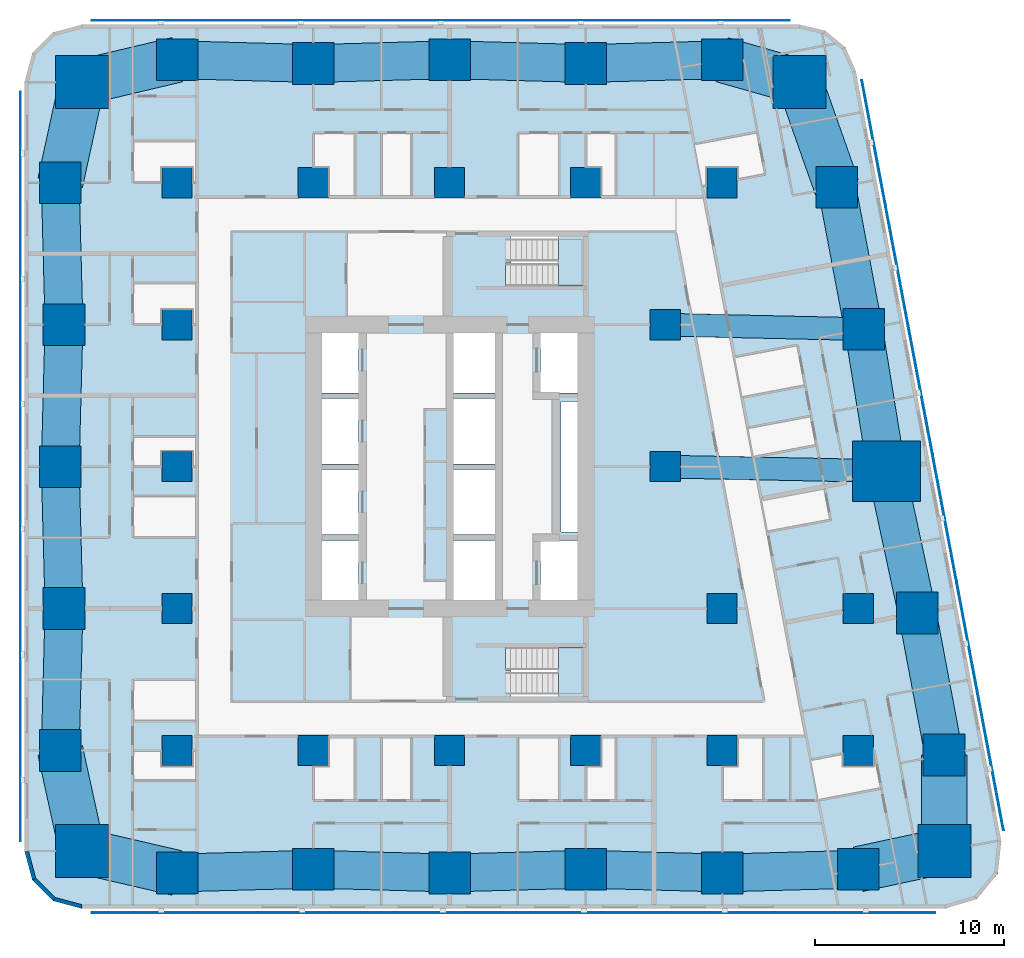
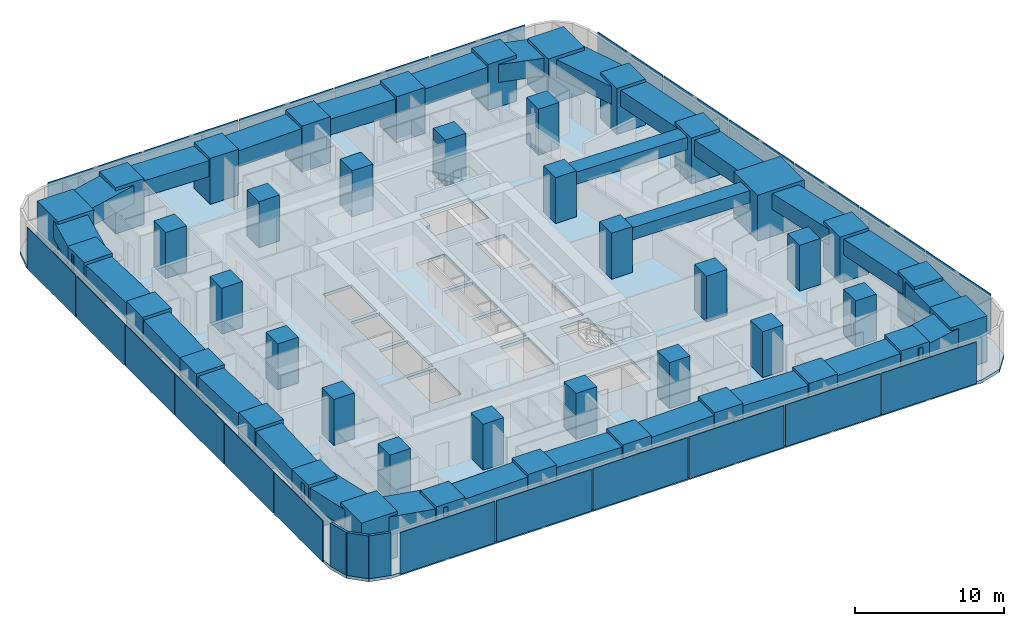
# One storey, part 1 of 15: 43 columns, 27 beams, 23 plates, 3 slabs, 3 walls, 2 elements without a shape of their own.
"""IFC4 building model written with IfcOpenShell, lengths in metres."""

from ifc_helpers import new_model, si_unit, direction, frame, frame_2d, origin, origin_2d, place, context, subcontext, project, spatial, polyline, rectangle, outline, extrude, material, layer, layer_set, material_profile, profile_set, type_object, element, aggregate, save


model = new_model("IFC4")

# Units and contexts
model_context = context("Model", 3, precision=1e-05, world=origin(), true_north=direction((0.0, 1.0)))
body_context = subcontext(model_context, "Body", "Model", "MODEL_VIEW")
ifc_project = project(units=[si_unit("LENGTHUNIT", "METRE"), si_unit("AREAUNIT", "SQUARE_METRE"), si_unit("VOLUMEUNIT", "CUBIC_METRE"), si_unit("PLANEANGLEUNIT", "RADIAN"), si_unit("MASSUNIT", "GRAM", prefix="KILO")], contexts=[model_context])

# Site, building, storey
site_placement = place(None, origin())
site = spatial("IfcSite", under=ifc_project, at=site_placement, CompositionType="ELEMENT")
building_placement = place(site_placement, origin())
building = spatial("IfcBuilding", under=site, at=building_placement, Name="Sheger Commons Tower", CompositionType="ELEMENT")
storey_placement = place(building_placement, frame((0.0, 0.0, 104.14990234375)))
storey = spatial("IfcBuildingStorey", under=building, at=storey_placement, Name="L26", CompositionType="ELEMENT", Elevation=104.14990234375)

# Columns
ifc_material_1 = material(Name="Concrete C50/60", Category="concrete")
ifc_material_profile_1 = material_profile(ifc_material_1, rectangle(XDim=3.60009765625, YDim=3.199951171875, at=origin_2d()), Name="RC 3600x3200")
ifc_profile_set_1 = profile_set([ifc_material_profile_1], Name="Concrete C50/60")
column_type_1 = type_object("IfcColumnType", Name="COLUMN PIER RC 3600x3200", PredefinedType="COLUMN", material=ifc_profile_set_1)
column_placement = place(storey_placement, frame((44.697021484375, 22.262939453125, 0.0), z_axis=(0.0, 0.0, 1.0), x_axis=(1.0, 0.0, 0.0)))
element("IfcColumn", 1, at=column_placement, inside=storey, type_object=column_type_1, Name="Pier 7/D+E/D L26", PredefinedType="COLUMN", context=body_context, shape_type="SweptSolid", body=[
    extrude(rectangle(XDim=3.60009765625, YDim=3.199951171875, at=origin_2d()), origin(), (0.0, 0.0, 1.0), 3.75),
])
ifc_material_2 = material(Name="Concrete C50/60", Category="concrete")
ifc_material_profile_2 = material_profile(ifc_material_2, rectangle(XDim=1.60009765625, YDim=1.60009765625, at=origin_2d()), Name="RC 1600x1600")
ifc_profile_set_2 = profile_set([ifc_material_profile_2], Name="Concrete C50/60")
column_type_2 = type_object("IfcColumnType", Name="COLUMN RC 1600x1600", PredefinedType="COLUMN", material=ifc_profile_set_2)
for number, where, z_axis, x_axis, name in (
    (2, (7.199951171875, 7.5, 0.0), (0.0, 0.0, 1.0), (1.0, 0.0, 0.0), "Column 2/B L26"),
    (3, (14.39990234375, 7.5, 0.0), (0.0, 0.0, 1.0), (1.0, 0.0, 0.0), "Column 3/B L26"),
    (4, (21.60009765625, 7.5, 0.0), (0.0, 0.0, 1.0), (1.0, 0.0, 0.0), "Column 4/B L26"),
    (5, (28.800048828125, 7.5, 0.0), (0.0, 0.0, 1.0), (1.0, 0.0, 0.0), "Column 5/B L26"),
    (6, (36.0, 7.5, 0.0), (0.0, 0.0, 1.0), (1.0, 0.0, 0.0), "Column 6/B L26"),
    (7, (43.199951171875, 7.5, 0.0), (0.0, 0.0, 1.0), (1.0, 0.0, 0.0), "Column 7/B L26"),
    (8, (7.199951171875, 15.0, 0.0), (0.0, 0.0, 1.0), (1.0, 0.0, 0.0), "Column 2/C L26"),
    (9, (36.0, 15.0, 0.0), (0.0, 0.0, 1.0), (1.0, 0.0, 0.0), "Column 6/C L26"),
    (10, (43.199951171875, 15.0, 0.0), (0.0, 0.0, 1.0), (1.0, 0.0, 0.0), "Column 7/C L26"),
    (11, (7.199951171875, 22.5, 0.0), (0.0, 0.0, 1.0), (1.0, 0.0, 0.0), "Column 2/D L26"),
    (12, (33.0, 22.5, 0.0), (0.0, 0.0, 1.0), (1.0, 0.0, 0.0), "Column 6-3000/D L26"),
    (13, (7.199951171875, 30.0, 0.0), (0.0, 0.0, 1.0), (1.0, 0.0, 0.0), "Column 2/E L26"),
    (14, (33.0, 30.0, 0.0), (0.0, 0.0, 1.0), (1.0, 0.0, 0.0), "Column 6-3000/E L26"),
    (15, (7.199951171875, 37.5, 0.0), (0.0, 0.0, 1.0), (1.0, 0.0, 0.0), "Column 2/F L26"),
    (16, (14.39990234375, 37.5, 0.0), (0.0, 0.0, 1.0), (1.0, 0.0, 0.0), "Column 3/F L26"),
    (17, (21.60009765625, 37.5, 0.0), (0.0, 0.0, 1.0), (1.0, 0.0, 0.0), "Column 4/F L26"),
    (18, (28.800048828125, 37.5, 0.0), (0.0, 0.0, 1.0), (1.0, 0.0, 0.0), "Column 5/F L26"),
    (19, (36.0, 37.5, 0.0), (0.0, 0.0, 1.0), (1.0, 0.0, 0.0), "Column 6/F L26"),
):
    element("IfcColumn", number, at=place(storey_placement, frame(where, z_axis=z_axis, x_axis=x_axis)), inside=storey, type_object=column_type_2, Name=name, PredefinedType="COLUMN", context=body_context, shape_type="SweptSolid", body=[
        extrude(rectangle(XDim=1.60009765625, YDim=1.60009765625, at=origin_2d()), origin(), (0.0, 0.0, 1.0), 3.75),
    ])
ifc_material_3 = material(Name="Concrete C50/60", Category="concrete")
ifc_material_profile_3 = material_profile(ifc_material_3, rectangle(XDim=2.199951171875, YDim=2.199951171875, at=origin_2d()), Name="RC 2200x2200")
ifc_profile_set_3 = profile_set([ifc_material_profile_3], Name="Concrete C50/60")
column_type_3 = type_object("IfcColumnType", Name="COLUMN RC 2200x2200", PredefinedType="COLUMN", material=ifc_profile_set_3)
for number, where, z_axis, x_axis, name in (
    (20, (7.199951171875, 1.02490234375, 0.0), (0.0, 0.0, 1.0), (1.0, 0.0, 0.0), "Column 2/A L26"),
    (21, (14.39990234375, 1.22509765625, 0.0), (0.0, 0.0, 1.0), (1.0, 0.0, 0.0), "Column 3/A L26"),
    (22, (21.60009765625, 1.02490234375, 0.0), (0.0, 0.0, 1.0), (1.0, 0.0, 0.0), "Column 4/A L26"),
    (23, (28.800048828125, 1.22509765625, 0.0), (0.0, 0.0, 1.0), (1.0, 0.0, 0.0), "Column 5/A L26"),
    (24, (36.0, 1.02490234375, 0.0), (0.0, 0.0, 1.0), (1.0, 0.0, 0.0), "Column 6/A L26"),
    (25, (43.199951171875, 1.22509765625, 0.0), (0.0, 0.0, 1.0), (1.0, 0.0, 0.0), "Column 7/A L26"),
    (26, (1.02490234375, 7.5, 0.0), (0.0, 0.0, 1.0), (1.0, 0.0, 0.0), "Column 1/B L26"),
    (27, (47.72998046875, 7.262939453125, 0.0), (0.0, 0.0, 1.0), (1.0, 0.0, 0.0), "Column E/B L26"),
    (28, (1.22509765625, 15.0, 0.0), (0.0, 0.0, 1.0), (1.0, 0.0, 0.0), "Column 1/C L26"),
    (29, (46.31396484375, 14.762939453125, 0.0), (0.0, 0.0, 1.0), (1.0, 0.0, 0.0), "Column E/C L26"),
    (30, (1.02490234375, 22.5, 0.0), (0.0, 0.0, 1.0), (1.0, 0.0, 0.0), "Column 1/D L26"),
    (31, (1.22509765625, 30.0, 0.0), (0.0, 0.0, 1.0), (1.0, 0.0, 0.0), "Column 1/E L26"),
    (32, (43.47998046875, 29.762939453125, 0.0), (0.0, 0.0, 1.0), (1.0, 0.0, 0.0), "Column E/E L26"),
    (33, (1.02490234375, 37.5, 0.0), (0.0, 0.0, 1.0), (1.0, 0.0, 0.0), "Column 1/F L26"),
    (34, (42.06396484375, 37.262939453125, 0.0), (0.0, 0.0, 1.0), (1.0, 0.0, 0.0), "Column E/F L26"),
    (35, (7.199951171875, 44.0, 0.0), (0.0, 0.0, 1.0), (1.0, 0.0, 0.0), "Column 2/G L26"),
    (36, (14.39990234375, 43.800048828125, 0.0), (0.0, 0.0, 1.0), (1.0, 0.0, 0.0), "Column 3/G L26"),
    (37, (21.60009765625, 44.0, 0.0), (0.0, 0.0, 1.0), (1.0, 0.0, 0.0), "Column 4/G L26"),
    (38, (28.800048828125, 43.800048828125, 0.0), (0.0, 0.0, 1.0), (1.0, 0.0, 0.0), "Column 5/G L26"),
    (39, (36.0, 44.0, 0.0), (0.0, 0.0, 1.0), (1.0, 0.0, 0.0), "Column 6/G L26"),
):
    element("IfcColumn", number, at=place(storey_placement, frame(where, z_axis=z_axis, x_axis=x_axis)), inside=storey, type_object=column_type_3, Name=name, PredefinedType="COLUMN", context=body_context, shape_type="SweptSolid", body=[
        extrude(rectangle(XDim=2.199951171875, YDim=2.199951171875, at=origin_2d()), origin(), (0.0, 0.0, 1.0), 3.75),
    ])
ifc_material_4 = material(Name="Concrete C50/60", Category="concrete")
ifc_material_profile_4 = material_profile(ifc_material_4, rectangle(XDim=2.800048828125, YDim=2.800048828125, at=origin_2d()), Name="RC 2800x2800")
ifc_profile_set_4 = profile_set([ifc_material_profile_4], Name="Concrete C50/60")
column_type_4 = type_object("IfcColumnType", Name="COLUMN RC 2800x2800", PredefinedType="COLUMN", material=ifc_profile_set_4)
for number, where, z_axis, x_axis, name in (
    (40, (2.18603515625, 2.18603515625, 0.0), (0.0, 0.0, 1.0), (1.0, 0.0, 0.0), "Column 0.630,0.630 L26"),
    (41, (47.748046875, 2.197021484375, 0.0), (0.0, 0.0, 1.0), (1.0, 0.0, 0.0), "Column 49.461,0.778 L26"),
    (42, (2.18603515625, 42.81396484375, 0.0), (0.0, 0.0, 1.0), (1.0, 0.0, 0.0), "Column 0.630,44.370 L26"),
    (43, (40.10205078125, 42.830078125, 0.0), (0.0, 0.0, 1.0), (1.0, 0.0, 0.0), "Column 41.490,44.505 L26"),
):
    element("IfcColumn", number, at=place(storey_placement, frame(where, z_axis=z_axis, x_axis=x_axis)), inside=storey, type_object=column_type_4, Name=name, PredefinedType="COLUMN", context=body_context, shape_type="SweptSolid", body=[
        extrude(rectangle(XDim=2.800048828125, YDim=2.800048828125, at=origin_2d()), origin(), (0.0, 0.0, 1.0), 3.75),
    ])

# Beams
ifc_material_5 = material(Name="Concrete C50/60", Category="concrete")
ifc_material_profile_5 = material_profile(ifc_material_5, rectangle(XDim=1.199951171875, YDim=1.0, at=origin_2d()), Name="RC 1200x1000")
ifc_profile_set_5 = profile_set([ifc_material_profile_5], Name="Concrete C50/60")
beam_type_1 = type_object("IfcBeamType", Name="BEAM RC 1200x1000", PredefinedType="BEAM", material=ifc_profile_set_5)
beam_1_placement = place(storey_placement, frame((33.0, 22.5, 3.0), z_axis=(0.999794692776, -0.02026258368, 0.0), x_axis=(0.02026258368, 0.999794692776, 0.0)))
element("IfcBeam", 44, at=beam_1_placement, inside=storey, type_object=beam_type_1, Name="Beam 6-3000/D-7/D under L27", PredefinedType="BEAM", context=body_context, shape_type="SweptSolid", body=[
    extrude(rectangle(XDim=1.199951171875, YDim=1.0, at=origin_2d()), origin(), (0.0, 0.0, 1.0), 11.699462890625),
])
beam_2_placement = place(storey_placement, frame((33.0, 30.0, 3.0), z_axis=(0.999744258625, -0.022614538395, 0.0), x_axis=(0.022614538395, 0.999744258625, 0.0)))
element("IfcBeam", 45, at=beam_2_placement, inside=storey, type_object=beam_type_1, Name="Beam 6-3000/E-E/E under L27", PredefinedType="BEAM", context=body_context, shape_type="SweptSolid", body=[
    extrude(rectangle(XDim=1.199951171875, YDim=1.0, at=origin_2d()), origin(), (0.0, 0.0, 1.0), 10.482666015625),
])
ifc_material_6 = material(Name="Concrete C50/60", Category="concrete")
ifc_material_profile_6 = material_profile(ifc_material_6, rectangle(XDim=2.0, YDim=1.300048828125, at=origin_2d()), Name="RC 2000x1300")
ifc_profile_set_6 = profile_set([ifc_material_profile_6], Name="Concrete C50/60")
beam_type_2 = type_object("IfcBeamType", Name="SPANDREL RC 2000x1300", PredefinedType="SPANDREL", material=ifc_profile_set_6)
beam_3_placement = place(storey_placement, frame((7.199951171875, 1.02490234375, 2.85009765625), z_axis=(0.9996136624, 0.027794350926, 0.0), x_axis=(-0.027794350926, 0.9996136624, 0.0)))
element("IfcBeam", 46, at=beam_3_placement, inside=storey, type_object=beam_type_2, Name="Beam 2/A-3/A under L27", PredefinedType="SPANDREL", context=body_context, shape_type="SweptSolid", body=[
    extrude(rectangle(XDim=2.0, YDim=1.300048828125, at=origin_2d()), origin(), (0.0, 0.0, 1.0), 7.20263671875),
])
beam_4_placement = place(storey_placement, frame((14.39990234375, 1.22509765625, 2.85009765625), z_axis=(0.999613688584, -0.027793409217, 0.0), x_axis=(0.027793409217, 0.999613688584, 0.0)))
element("IfcBeam", 47, at=beam_4_placement, inside=storey, type_object=beam_type_2, Name="Beam 3/A-4/A under L27", PredefinedType="SPANDREL", context=body_context, shape_type="SweptSolid", body=[
    extrude(rectangle(XDim=2.0, YDim=1.300048828125, at=origin_2d()), origin(), (0.0, 0.0, 1.0), 7.202880859375),
])
for number, where, z_axis, x_axis, name in (
    (48, (21.60009765625, 1.02490234375, 2.85009765625), (0.9996136624, 0.027794350926, 0.0), (-0.027794350926, 0.9996136624, 0.0), "Beam 4/A-5/A under L27"),
    (49, (28.800048828125, 1.22509765625, 2.85009765625), (0.9996136624, -0.027794350926, 0.0), (0.027794350926, 0.9996136624, 0.0), "Beam 5/A-6/A under L27"),
    (50, (36.0, 1.02490234375, 2.85009765625), (0.9996136624, 0.027794350926, 0.0), (-0.027794350926, 0.9996136624, 0.0), "Beam 6/A-7/A under L27"),
):
    element("IfcBeam", number, at=place(storey_placement, frame(where, z_axis=z_axis, x_axis=x_axis)), inside=storey, type_object=beam_type_2, Name=name, PredefinedType="SPANDREL", context=body_context, shape_type="SweptSolid", body=[
        extrude(rectangle(XDim=2.0, YDim=1.300048828125, at=origin_2d()), origin(), (0.0, 0.0, 1.0), 7.20263671875),
    ])
beam_5_placement = place(storey_placement, frame((47.72998046875, 7.262939453125, 2.85009765625), z_axis=(-0.18552441405, 0.982639655108, 0.0), x_axis=(-0.982639655108, -0.18552441405, 0.0)))
element("IfcBeam", 51, at=beam_5_placement, inside=storey, type_object=beam_type_2, Name="Beam E/B-E/C under L27", PredefinedType="SPANDREL", context=body_context, shape_type="SweptSolid", body=[
    extrude(rectangle(XDim=2.0, YDim=1.300048828125, at=origin_2d()), origin(), (0.0, 0.0, 1.0), 7.632568359375),
])
beam_6_placement = place(storey_placement, frame((46.31396484375, 14.762939453125, 2.85009765625), z_axis=(-0.210750229323, 0.977539943348, 0.0), x_axis=(-0.977539943348, -0.210750229323, 0.0)))
element("IfcBeam", 52, at=beam_6_placement, inside=storey, type_object=beam_type_2, Name="Beam E/C-E/D under L27", PredefinedType="SPANDREL", context=body_context, shape_type="SweptSolid", body=[
    extrude(rectangle(XDim=2.0, YDim=1.300048828125, at=origin_2d()), origin(), (0.0, 0.0, 1.0), 7.67236328125),
])
beam_7_placement = place(storey_placement, frame((44.697021484375, 22.262939453125, 2.85009765625), z_axis=(-0.160176929512, 0.987088319884, 0.0), x_axis=(-0.987088319884, -0.160176929512, 0.0)))
element("IfcBeam", 53, at=beam_7_placement, inside=storey, type_object=beam_type_2, Name="Beam E/D-E/E under L27", PredefinedType="SPANDREL", context=body_context, shape_type="SweptSolid", body=[
    extrude(rectangle(XDim=2.0, YDim=1.300048828125, at=origin_2d()), origin(), (0.0, 0.0, 1.0), 7.59814453125),
])
beam_8_placement = place(storey_placement, frame((43.47998046875, 29.762939453125, 2.85009765625), z_axis=(-0.18552441405, 0.982639655108, 0.0), x_axis=(-0.982639655108, -0.18552441405, 0.0)))
element("IfcBeam", 54, at=beam_8_placement, inside=storey, type_object=beam_type_2, Name="Beam E/E-E/F under L27", PredefinedType="SPANDREL", context=body_context, shape_type="SweptSolid", body=[
    extrude(rectangle(XDim=2.0, YDim=1.300048828125, at=origin_2d()), origin(), (0.0, 0.0, 1.0), 7.632568359375),
])
for number, where, z_axis, x_axis, name in (
    (55, (36.0, 44.0, 2.85009765625), (-0.999614603568, -0.027760481514, 0.0), (0.027760481514, -0.999614603568, 0.0), "Beam 6/G-5/G under L27"),
    (56, (28.800048828125, 43.800048828125, 2.85009765625), (-0.999614603568, 0.027760481514, 0.0), (-0.027760481514, -0.999614603568, 0.0), "Beam 5/G-4/G under L27"),
):
    element("IfcBeam", number, at=place(storey_placement, frame(where, z_axis=z_axis, x_axis=x_axis)), inside=storey, type_object=beam_type_2, Name=name, PredefinedType="SPANDREL", context=body_context, shape_type="SweptSolid", body=[
        extrude(rectangle(XDim=2.0, YDim=1.300048828125, at=origin_2d()), origin(), (0.0, 0.0, 1.0), 7.20263671875),
    ])
beam_9_placement = place(storey_placement, frame((21.60009765625, 44.0, 2.85009765625), z_axis=(-0.999614629688, -0.027759540951, 0.0), x_axis=(0.027759540951, -0.999614629688, 0.0)))
element("IfcBeam", 57, at=beam_9_placement, inside=storey, type_object=beam_type_2, Name="Beam 4/G-3/G under L27", PredefinedType="SPANDREL", context=body_context, shape_type="SweptSolid", body=[
    extrude(rectangle(XDim=2.0, YDim=1.300048828125, at=origin_2d()), origin(), (0.0, 0.0, 1.0), 7.202880859375),
])
beam_10_placement = place(storey_placement, frame((14.39990234375, 43.800048828125, 2.85009765625), z_axis=(-0.999614603568, 0.027760481514, 0.0), x_axis=(-0.027760481514, -0.999614603568, 0.0)))
element("IfcBeam", 58, at=beam_10_placement, inside=storey, type_object=beam_type_2, Name="Beam 3/G-2/G under L27", PredefinedType="SPANDREL", context=body_context, shape_type="SweptSolid", body=[
    extrude(rectangle(XDim=2.0, YDim=1.300048828125, at=origin_2d()), origin(), (0.0, 0.0, 1.0), 7.20263671875),
])
for number, where, z_axis, x_axis, name in (
    (59, (1.02490234375, 37.5, 2.85009765625), (0.026683204125, -0.999643939919, 0.0), (0.999643939919, 0.026683204125, 0.0), "Beam 1/F-1/E under L27"),
    (60, (1.22509765625, 30.0, 2.85009765625), (-0.026683204125, -0.999643939919, 0.0), (0.999643939919, -0.026683204125, 0.0), "Beam 1/E-1/D under L27"),
    (61, (1.02490234375, 22.5, 2.85009765625), (0.026683204125, -0.999643939919, 0.0), (0.999643939919, 0.026683204125, 0.0), "Beam 1/D-1/C under L27"),
    (62, (1.22509765625, 15.0, 2.85009765625), (-0.026683204125, -0.999643939919, 0.0), (0.999643939919, -0.026683204125, 0.0), "Beam 1/C-1/B under L27"),
):
    element("IfcBeam", number, at=place(storey_placement, frame(where, z_axis=z_axis, x_axis=x_axis)), inside=storey, type_object=beam_type_2, Name=name, PredefinedType="SPANDREL", context=body_context, shape_type="SweptSolid", body=[
        extrude(rectangle(XDim=2.0, YDim=1.300048828125, at=origin_2d()), origin(), (0.0, 0.0, 1.0), 7.502685546875),
    ])
ifc_material_7 = material(Name="Concrete C50/60", Category="concrete")
ifc_material_profile_7 = material_profile(ifc_material_7, rectangle(XDim=2.39990234375, YDim=1.449951171875, at=origin_2d()), Name="RC 2400x1450")
ifc_profile_set_7 = profile_set([ifc_material_profile_7], Name="Concrete C50/60")
beam_type_3 = type_object("IfcBeamType", Name="SPANDREL RC 2400x1450", PredefinedType="SPANDREL", material=ifc_profile_set_7)
beam_11_placement = place(storey_placement, frame((2.18603515625, 2.18603515625, 2.775146484375), z_axis=(0.974217413499, -0.225611239159, 0.0), x_axis=(0.225611239159, 0.974217413499, 0.0)))
element("IfcBeam", 63, at=beam_11_placement, inside=storey, type_object=beam_type_3, Name="Beam 0.630,0.630-2/A under L27", PredefinedType="SPANDREL", context=body_context, shape_type="SweptSolid", body=[
    extrude(rectangle(XDim=2.39990234375, YDim=1.449951171875, at=origin_2d()), origin(), (0.0, 0.0, 1.0), 5.146728515625),
])
beam_12_placement = place(storey_placement, frame((43.199951171875, 1.22509765625, 2.775146484375), z_axis=(0.977919796671, 0.208980552394, 0.0), x_axis=(-0.208980552394, 0.977919796671, 0.0)))
element("IfcBeam", 64, at=beam_12_placement, inside=storey, type_object=beam_type_3, Name="Beam 7/A-49.461,0.778 under L27", PredefinedType="SPANDREL", context=body_context, shape_type="SweptSolid", body=[
    extrude(rectangle(XDim=2.39990234375, YDim=1.449951171875, at=origin_2d()), origin(), (0.0, 0.0, 1.0), 4.65087890625),
])
beam_13_placement = place(storey_placement, frame((47.748046875, 2.197021484375, 2.775146484375), z_axis=(-0.003566242382, 0.999993640937, 0.0), x_axis=(-0.999993640937, -0.003566242382, 0.0)))
element("IfcBeam", 65, at=beam_13_placement, inside=storey, type_object=beam_type_3, Name="Beam 49.461,0.778-E/B under L27", PredefinedType="SPANDREL", context=body_context, shape_type="SweptSolid", body=[
    extrude(rectangle(XDim=2.39990234375, YDim=1.449951171875, at=origin_2d()), origin(), (0.0, 0.0, 1.0), 5.06591796875),
])
beam_14_placement = place(storey_placement, frame((42.06396484375, 37.262939453125, 2.775146484375), z_axis=(-0.332374403357, 0.943147526102, 0.0), x_axis=(-0.943147526102, -0.332374403357, 0.0)))
element("IfcBeam", 66, at=beam_14_placement, inside=storey, type_object=beam_type_3, Name="Beam E/F-41.490,44.505 under L27", PredefinedType="SPANDREL", context=body_context, shape_type="SweptSolid", body=[
    extrude(rectangle(XDim=2.39990234375, YDim=1.449951171875, at=origin_2d()), origin(), (0.0, 0.0, 1.0), 5.90283203125),
])
beam_15_placement = place(storey_placement, frame((40.10205078125, 42.830078125, 2.775146484375), z_axis=(-0.961653428129, 0.274267541221, 0.0), x_axis=(-0.274267541221, -0.961653428129, 0.0)))
element("IfcBeam", 67, at=beam_15_placement, inside=storey, type_object=beam_type_3, Name="Beam 41.490,44.505-6/G under L27", PredefinedType="SPANDREL", context=body_context, shape_type="SweptSolid", body=[
    extrude(rectangle(XDim=2.39990234375, YDim=1.449951171875, at=origin_2d()), origin(), (0.0, 0.0, 1.0), 4.265625),
])
beam_16_placement = place(storey_placement, frame((7.199951171875, 44.0, 2.775146484375), z_axis=(-0.97314428949, -0.230195985701, 0.0), x_axis=(0.230195985701, -0.97314428949, 0.0)))
element("IfcBeam", 68, at=beam_16_placement, inside=storey, type_object=beam_type_3, Name="Beam 2/G-0.630,44.370 under L27", PredefinedType="SPANDREL", context=body_context, shape_type="SweptSolid", body=[
    extrude(rectangle(XDim=2.39990234375, YDim=1.449951171875, at=origin_2d()), origin(), (0.0, 0.0, 1.0), 5.15234375),
])
for number, where, z_axis, x_axis, name in (
    (69, (2.18603515625, 42.81396484375, 2.775146484375), (-0.213469314652, -0.976949769283, 0.0), (0.976949769283, -0.213469314652, 0.0), "Beam 0.630,44.370-1/F under L27"),
    (70, (1.02490234375, 7.5, 2.775146484375), (0.213469314652, -0.976949769283, 0.0), (0.976949769283, 0.213469314652, 0.0), "Beam 1/B-0.630,0.630 under L27"),
):
    element("IfcBeam", number, at=place(storey_placement, frame(where, z_axis=z_axis, x_axis=x_axis)), inside=storey, type_object=beam_type_3, Name=name, PredefinedType="SPANDREL", context=body_context, shape_type="SweptSolid", body=[
        extrude(rectangle(XDim=2.39990234375, YDim=1.449951171875, at=origin_2d()), origin(), (0.0, 0.0, 1.0), 5.439453125),
    ])

# Slab
ifc_material_8 = material(Name="Concrete C35/45", Category="concrete")
ifc_layer_1 = layer(ifc_material_8, 0.25)
ifc_layer_set_1 = layer_set([ifc_layer_1], Name="SLAB FLOOR 250")
slab_type_1 = type_object("IfcSlabType", Name="SLAB FLOOR 250", PredefinedType="FLOOR", material=ifc_layer_set_1)
slab_1_placement = place(storey_placement, frame((0.0, 0.0, -0.25)))
element("IfcSlab", 71, at=slab_1_placement, inside=storey, type_object=slab_type_1, Name="L26 floor slab", PredefinedType="FLOOR", context=body_context, shape_type="SweptSolid", body=[
    extrude(outline(polyline([(-0.85009765625, 2.14990234375), (-0.447998046875, 0.64990234375), (0.64990234375, -0.447998046875), (2.14990234375, -0.85009765625), (47.805908203125, -0.85009765625), (49.465087890625, -0.35009765625), (50.570068359375, 0.98388671875), (50.75390625, 2.70703125), (43.06591796875, 43.406982421875), (42.509033203125, 44.660888671875), (41.452880859375, 45.535888671875), (40.117919921875, 45.85009765625), (2.14990234375, 45.85009765625), (0.64990234375, 45.447998046875), (-0.447998046875, 44.35009765625), (-0.85009765625, 42.85009765625), (-0.85009765625, 2.14990234375)]), holes=[polyline([(24.85009765625, 10.35009765625), (28.64990234375, 10.35009765625), (28.64990234375, 12.949951171875), (24.551025390625, 12.949951171875), (24.551025390625, 11.75), (24.85009765625, 11.75), (24.85009765625, 10.35009765625)]), polyline([(24.551025390625, 32.050048828125), (28.64990234375, 32.050048828125), (28.64990234375, 34.64990234375), (24.85009765625, 34.64990234375), (24.85009765625, 33.25), (24.551025390625, 33.25), (24.551025390625, 32.050048828125)]), polyline([(26.39990234375, 15.14990234375), (28.60009765625, 15.14990234375), (28.60009765625, 18.60009765625), (26.39990234375, 18.60009765625), (26.39990234375, 15.14990234375)]), polyline([(26.39990234375, 26.39990234375), (28.60009765625, 26.39990234375), (28.60009765625, 29.85009765625), (26.39990234375, 29.85009765625), (26.39990234375, 26.39990234375)]), polyline([(14.60009765625, 15.14990234375), (16.800048828125, 15.14990234375), (16.800048828125, 18.60009765625), (14.60009765625, 18.60009765625), (14.60009765625, 15.14990234375)]), polyline([(14.60009765625, 18.89990234375), (16.800048828125, 18.89990234375), (16.800048828125, 22.35009765625), (14.60009765625, 22.35009765625), (14.60009765625, 18.89990234375)]), polyline([(14.60009765625, 22.64990234375), (16.800048828125, 22.64990234375), (16.800048828125, 26.10009765625), (14.60009765625, 26.10009765625), (14.60009765625, 22.64990234375)]), polyline([(14.60009765625, 26.39990234375), (16.800048828125, 26.39990234375), (16.800048828125, 29.85009765625), (14.60009765625, 29.85009765625), (14.60009765625, 26.39990234375)]), polyline([(21.800048828125, 15.14990234375), (24.0, 15.14990234375), (24.0, 18.60009765625), (21.800048828125, 18.60009765625), (21.800048828125, 15.14990234375)]), polyline([(21.800048828125, 18.89990234375), (24.0, 18.89990234375), (24.0, 22.35009765625), (21.800048828125, 22.35009765625), (21.800048828125, 18.89990234375)]), polyline([(21.800048828125, 22.64990234375), (24.0, 22.64990234375), (24.0, 26.10009765625), (21.800048828125, 26.10009765625), (21.800048828125, 22.64990234375)]), polyline([(21.800048828125, 26.39990234375), (24.0, 26.39990234375), (24.0, 29.85009765625), (21.800048828125, 29.85009765625), (21.800048828125, 26.39990234375)]), polyline([(27.5, 19.050048828125), (28.5, 19.050048828125), (28.5, 25.949951171875), (27.5, 25.949951171875), (27.5, 19.050048828125)])]), origin(), (0.0, 0.0, 1.0), 0.25),
])

# Plates
ifc_material_9 = material(Name="Perforated black anodised aluminium screen", Category="aluminium")
ifc_layer_2 = layer(ifc_material_9, 0.050048828125)
ifc_layer_set_2 = layer_set([ifc_layer_2], Name="SOLAR SCREEN SCREEN-1")
plate_type = type_object("IfcPlateType", Name="SOLAR SCREEN SCREEN-1", PredefinedType="USERDEFINED", material=ifc_layer_set_2)
for number, where, z_axis, x_axis, name in (
    (72, (6.37109375, -1.074951171875, 0.050048828125), (0.0, 0.0, 1.0), (1.0, 0.0, 0.0), "Perforated solar screen panel"),
    (73, (13.81396484375, -1.074951171875, 0.050048828125), (0.0, 0.0, 1.0), (1.0, 0.0, 0.0), "Perforated solar screen panel"),
    (74, (21.257080078125, -1.074951171875, 0.050048828125), (0.0, 0.0, 1.0), (1.0, 0.0, 0.0), "Perforated solar screen panel"),
    (75, (28.698974609375, -1.074951171875, 0.050048828125), (0.0, 0.0, 1.0), (1.0, 0.0, 0.0), "Perforated solar screen panel"),
    (76, (36.14208984375, -1.074951171875, 0.050048828125), (0.0, 0.0, 1.0), (1.0, 0.0, 0.0), "Perforated solar screen panel"),
    (77, (43.5849609375, -1.074951171875, 0.050048828125), (0.0, 0.0, 1.0), (1.0, 0.0, 0.0), "Perforated solar screen panel"),
):
    element("IfcPlate", number, at=place(storey_placement, frame(where, z_axis=z_axis, x_axis=x_axis)), inside=storey, type_object=plate_type, Name=name, ObjectType="SCREEN", PredefinedType="USERDEFINED", context=body_context, shape_type="SweptSolid", body=[
        extrude(rectangle(XDim=7.343017578125, YDim=0.050048828125, at=origin_2d()), origin(), (0.0, 0.0, 1.0), 3.39990234375),
    ])
for number, where, z_axis, x_axis, name in (
    (78, (50.257080078125, 6.550048828125, 0.050048828125), (0.0, 0.0, 1.0), (-0.185615165645, 0.982622516678, 0.0), "Perforated solar screen panel"),
    (79, (49.007080078125, 13.1689453125, 0.050048828125), (0.0, 0.0, 1.0), (-0.185615165645, 0.982622516678, 0.0), "Perforated solar screen panel"),
    (80, (47.756103515625, 19.7890625, 0.050048828125), (0.0, 0.0, 1.0), (-0.185615165645, 0.982622516678, 0.0), "Perforated solar screen panel"),
    (81, (46.506103515625, 26.408935546875, 0.050048828125), (0.0, 0.0, 1.0), (-0.185615165645, 0.982622516678, 0.0), "Perforated solar screen panel"),
    (82, (45.2548828125, 33.028076171875, 0.050048828125), (0.0, 0.0, 1.0), (-0.185615165645, 0.982622516678, 0.0), "Perforated solar screen panel"),
    (83, (44.0048828125, 39.64794921875, 0.050048828125), (0.0, 0.0, 1.0), (-0.185615165645, 0.982622516678, 0.0), "Perforated solar screen panel"),
):
    element("IfcPlate", number, at=place(storey_placement, frame(where, z_axis=z_axis, x_axis=x_axis)), inside=storey, type_object=plate_type, Name=name, ObjectType="SCREEN", PredefinedType="USERDEFINED", context=body_context, shape_type="SweptSolid", body=[
        extrude(rectangle(XDim=6.636962890625, YDim=0.050048828125, at=origin_2d()), origin(), (0.0, 0.0, 1.0), 3.39990234375),
    ])
for number, where, z_axis, x_axis, name in (
    (84, (35.9208984375, 46.074951171875, 0.050048828125), (0.0, 0.0, 1.0), (-1.0, 0.0, 0.0), "Perforated solar screen panel"),
    (85, (28.528076171875, 46.074951171875, 0.050048828125), (0.0, 0.0, 1.0), (-1.0, 0.0, 0.0), "Perforated solar screen panel"),
    (86, (21.134033203125, 46.074951171875, 0.050048828125), (0.0, 0.0, 1.0), (-1.0, 0.0, 0.0), "Perforated solar screen panel"),
    (87, (13.739990234375, 46.074951171875, 0.050048828125), (0.0, 0.0, 1.0), (-1.0, 0.0, 0.0), "Perforated solar screen panel"),
    (88, (6.346923828125, 46.074951171875, 0.050048828125), (0.0, 0.0, 1.0), (-1.0, 0.0, 0.0), "Perforated solar screen panel"),
):
    element("IfcPlate", number, at=place(storey_placement, frame(where, z_axis=z_axis, x_axis=x_axis)), inside=storey, type_object=plate_type, Name=name, ObjectType="SCREEN", PredefinedType="USERDEFINED", context=body_context, shape_type="SweptSolid", body=[
        extrude(rectangle(XDim=7.2939453125, YDim=0.050048828125, at=origin_2d()), origin(), (0.0, 0.0, 1.0), 3.39990234375),
    ])
for number, where, z_axis, x_axis, name in (
    (89, (-1.074951171875, 39.0419921875, 0.050048828125), (0.0, 0.0, 1.0), (0.0, -1.0, 0.0), "Perforated solar screen panel"),
    (90, (-1.074951171875, 32.425048828125, 0.050048828125), (0.0, 0.0, 1.0), (0.0, -1.0, 0.0), "Perforated solar screen panel"),
    (91, (-1.074951171875, 25.80810546875, 0.050048828125), (0.0, 0.0, 1.0), (0.0, -1.0, 0.0), "Perforated solar screen panel"),
    (92, (-1.074951171875, 19.19189453125, 0.050048828125), (0.0, 0.0, 1.0), (0.0, -1.0, 0.0), "Perforated solar screen panel"),
    (93, (-1.074951171875, 12.574951171875, 0.050048828125), (0.0, 0.0, 1.0), (0.0, -1.0, 0.0), "Perforated solar screen panel"),
    (94, (-1.074951171875, 5.9580078125, 0.050048828125), (0.0, 0.0, 1.0), (0.0, -1.0, 0.0), "Perforated solar screen panel"),
):
    element("IfcPlate", number, at=place(storey_placement, frame(where, z_axis=z_axis, x_axis=x_axis)), inside=storey, type_object=plate_type, Name=name, ObjectType="SCREEN", PredefinedType="USERDEFINED", context=body_context, shape_type="SweptSolid", body=[
        extrude(rectangle(XDim=6.51708984375, YDim=0.050048828125, at=origin_2d()), origin(), (0.0, 0.0, 1.0), 3.39990234375),
    ])

# Stair, slab
ifc_material_10 = material(Name="Concrete C35/45", Category="concrete")
stair_type = type_object("IfcStairType", Name="HALF-TURN STAIR 1200 RISE 3750", PredefinedType="HALF_TURN_STAIR", material=ifc_material_10)
stair_1_placement = place(storey_placement, origin())
stair_1 = element("IfcStair", 95, at=stair_1_placement, inside=storey, type_object=stair_type, Name="Stair S1 L26", PredefinedType="HALF_TURN_STAIR")
ifc_material_11 = material(Name="Concrete C35/45", Category="concrete")
ifc_layer_3 = layer(ifc_material_11, 0.199951171875)
ifc_layer_set_3 = layer_set([ifc_layer_3], Name="STAIR LANDING 200")
slab_type_2 = type_object("IfcSlabType", Name="STAIR LANDING 200", PredefinedType="LANDING", material=ifc_layer_set_3)
slab_2_placement = place(storey_placement, frame((0.0, 0.0, 1.675048828125)))
slab_2 = element("IfcSlab", 96, at=slab_2_placement, type_object=slab_type_2, Name="S1 landing 1", PredefinedType="LANDING", context=body_context, shape_type="SweptSolid", body=[
    extrude(outline(polyline([(27.35009765625, 10.199951171875), (28.800048828125, 10.199951171875), (28.800048828125, 12.949951171875), (27.35009765625, 12.949951171875), (27.35009765625, 10.199951171875)])), origin(), (0.0, 0.0, 1.0), 0.199951171875),
])
aggregate(stair_1, [slab_2])

stair_2_placement = place(storey_placement, origin())
stair_2 = element("IfcStair", 97, at=stair_2_placement, inside=storey, type_object=stair_type, Name="Stair S2 L26", PredefinedType="HALF_TURN_STAIR")
slab_3_placement = place(storey_placement, frame((0.0, 0.0, 1.675048828125)))
slab_3 = element("IfcSlab", 98, at=slab_3_placement, type_object=slab_type_2, Name="S2 landing 1", PredefinedType="LANDING", context=body_context, shape_type="SweptSolid", body=[
    extrude(outline(polyline([(27.35009765625, 32.050048828125), (28.800048828125, 32.050048828125), (28.800048828125, 34.800048828125), (27.35009765625, 34.800048828125), (27.35009765625, 32.050048828125)])), origin(), (0.0, 0.0, 1.0), 0.199951171875),
])
aggregate(stair_2, [slab_3])

# Walls
ifc_material_12 = material(Name="Rendered concrete block masonry, dark grey", Category="masonry")
ifc_layer_4 = layer(ifc_material_12, 0.199951171875)
ifc_layer_set_4 = layer_set([ifc_layer_4], Name="FACADE WALL 200")
wall_type = type_object("IfcWallType", Name="FACADE WALL 200", PredefinedType="SOLIDWALL", material=ifc_layer_set_4)
wall_1_placement = place(storey_placement, frame((-0.75, 2.1630859375, 0.0), z_axis=(0.0, 0.0, 1.0), x_axis=(0.259168954497, -0.965832000415, 0.0)))
element("IfcWall", 99, at=wall_1_placement, inside=storey, type_object=wall_type, Name="Facade wall L26", PredefinedType="SOLIDWALL", context=body_context, shape_type="SweptSolid", body=[
    extrude(rectangle(XDim=1.512939453125, YDim=0.199951171875, at=frame_2d((0.75634765625, 0.0))), origin(), (0.0, 0.0, 1.0), 3.5),
])
wall_2_placement = place(storey_placement, frame((-0.35791015625, 0.701904296875, 0.0), z_axis=(0.0, 0.0, 1.0), x_axis=(0.707106781187, -0.707106781187, 0.0)))
element("IfcWall", 100, at=wall_2_placement, inside=storey, type_object=wall_type, Name="Facade wall L26", PredefinedType="SOLIDWALL", context=body_context, shape_type="SweptSolid", body=[
    extrude(rectangle(XDim=1.498779296875, YDim=0.199951171875, at=frame_2d((0.74951171875, 0.0))), origin(), (0.0, 0.0, 1.0), 3.5),
])
wall_3_placement = place(storey_placement, frame((0.701904296875, -0.35791015625, 0.0), z_axis=(0.0, 0.0, 1.0), x_axis=(0.965832000415, -0.259168954497, 0.0)))
element("IfcWall", 101, at=wall_3_placement, inside=storey, type_object=wall_type, Name="Facade wall L26", PredefinedType="SOLIDWALL", context=body_context, shape_type="SweptSolid", body=[
    extrude(rectangle(XDim=1.512939453125, YDim=0.199951171875, at=frame_2d((0.75634765625, 0.0))), origin(), (0.0, 0.0, 1.0), 3.5),
])

save(model, "model.ifc")
